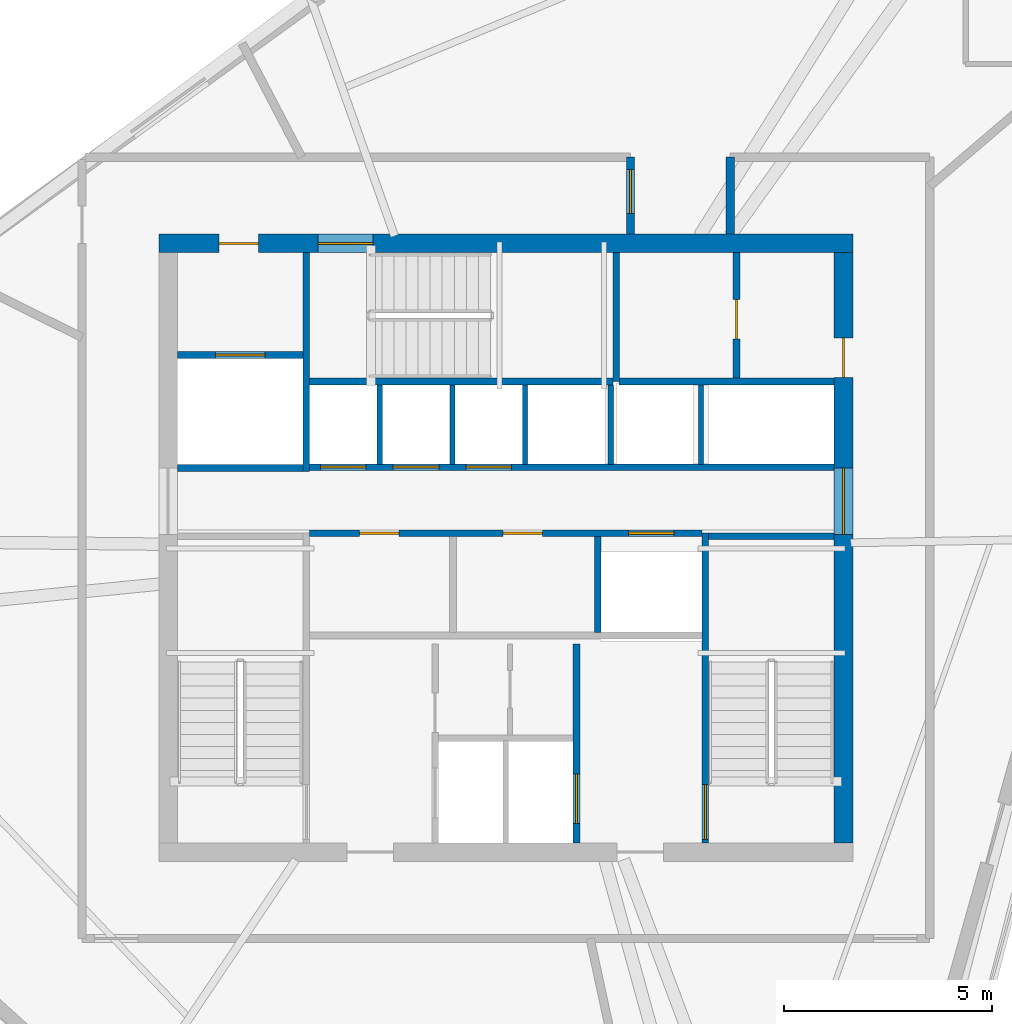
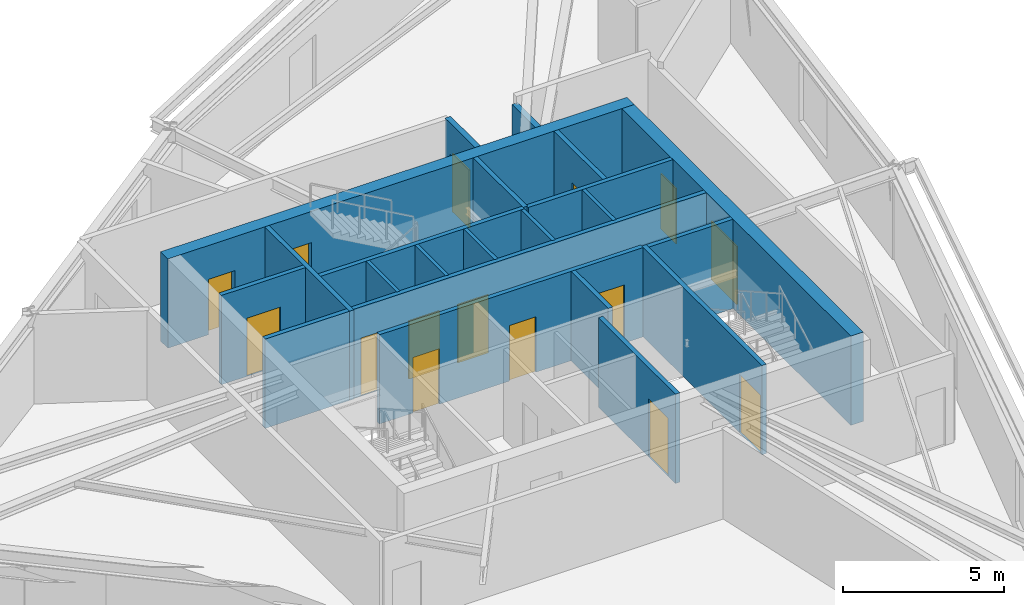
# One storey, part 10 of 14: 22 walls, 15 doors, 15 openings.
"""IFC4 building model written with IfcOpenShell, lengths in metres."""

from ifc_helpers import new_model, si_unit, direction, frame, frame_2d, origin, place, context, subcontext, project, spatial, rectangle, extrude, source, transform, mapped, material, layer, layer_set, type_object, type_shapes, element, fill, save


model = new_model("IFC4")

# Units and contexts
model_context = context("Model", 3, precision=1e-05, world=origin(), true_north=direction((0.0, 1.0)))
body_context = subcontext(model_context, "Body", "Model", "MODEL_VIEW")
ifc_project = project(units=[si_unit("LENGTHUNIT", "METRE"), si_unit("AREAUNIT", "SQUARE_METRE"), si_unit("VOLUMEUNIT", "CUBIC_METRE"), si_unit("PLANEANGLEUNIT", "RADIAN"), si_unit("MASSUNIT", "GRAM", prefix="KILO")], contexts=[model_context])

# Site, building, storey
site_placement = place(None, origin())
site = spatial("IfcSite", under=ifc_project, at=site_placement, CompositionType="ELEMENT")
building_placement = place(site_placement, origin())
building = spatial("IfcBuilding", under=site, at=building_placement, Name="Olszyna Solenne Hotel", CompositionType="ELEMENT")
storey_placement = place(building_placement, frame((0.0, 0.0, 259.699951171875)))
storey = spatial("IfcBuildingStorey", under=building, at=storey_placement, Name="L69", CompositionType="ELEMENT", Elevation=259.699951171875)

# Wall, openings, doors
ifc_material_1 = material(Name="Concrete C50/60", Category="concrete")
ifc_layer_1 = layer(ifc_material_1, 0.449951171875, Name="Concrete C50/60")
ifc_layer_set_1 = layer_set([ifc_layer_1], Name="Concrete C50/60")
wall_type_1 = type_object("IfcWallType", Name="WL-CR450", PredefinedType="SHEAR", material=ifc_layer_set_1)
wall_1_placement = place(storey_placement, frame((29.64990234375, 33.925048828125, 0.0), z_axis=(0.0, 0.0, 1.0), x_axis=(1.0, 0.0, 0.0)))
wall_1 = element("IfcWall", 1, at=wall_1_placement, inside=storey, type_object=wall_type_1, Name="Core shear wall WL-CR450 CRW-L69-N", PredefinedType="SHEAR", context=body_context, shape_type="SweptSolid", body=[
    extrude(rectangle(XDim=16.7001953125, YDim=0.449951171875, at=frame_2d((8.35009765625, 0.0))), origin(), (0.0, 0.0, 1.0), 3.380126953125),
])
opening_1_placement = place(wall_1_placement, frame((1.449951171875, 0.0, 0.0)))
opening_1 = element("IfcOpeningElement", 2, at=opening_1_placement, cuts=wall_1, Name="Opening SVD-L69-01", PredefinedType="OPENING", context=body_context, shape_type="SweptSolid", body=[
    extrude(rectangle(XDim=0.949951171875, YDim=2.10009765625, at=frame_2d((0.47509765625, 1.050048828125))), frame((0.0, 0.23486328125, 0.0), z_axis=(0.0, -1.0, 0.0), x_axis=(1.0, 0.0, 0.0)), (0.0, 0.0, 1.0), 0.469970703125),
])
opening_2_placement = place(wall_1_placement, frame((3.830078125, 0.0, 0.0)))
opening_2 = element("IfcOpeningElement", 3, at=opening_2_placement, cuts=wall_1, Name="Opening STD-L69-03", PredefinedType="OPENING", context=body_context, shape_type="SweptSolid", body=[
    extrude(rectangle(XDim=1.320068359375, YDim=2.199951171875, at=frame_2d((0.66015625, 1.10009765625))), frame((0.0, 0.23486328125, 0.0), z_axis=(0.0, -1.0, 0.0), x_axis=(1.0, 0.0, 0.0)), (0.0, 0.0, 1.0), 0.469970703125),
])
ifc_material_2 = material(Name="Steel S355J2", Category="steel")
door_type_1 = type_object("IfcDoorType", Name="DR-ST1", OperationType="NOTDEFINED", PredefinedType="DOOR", material=ifc_material_2)
shared_shape_1 = source(origin(), body_context, "Body", "SweptSolid", [
    extrude(rectangle(XDim=1.320068359375, YDim=2.199951171875, at=frame_2d((0.66015625, 1.10009765625))), frame((0.0, 0.02490234375, 0.0), z_axis=(0.0, -1.0, 0.0), x_axis=(1.0, 0.0, 0.0)), (0.0, 0.0, 1.0), 0.050048828125),
])
type_shapes(door_type_1, [shared_shape_1])
door_1_placement = place(opening_2_placement, origin())
door_1 = element("IfcDoor", 4, at=door_1_placement, inside=storey, type_object=door_type_1, Name="Pressurised exit stair ST3 fire door STD-L69-03", OperationType="SINGLE_SWING_RIGHT", OverallHeight=2.199951171875, OverallWidth=1.320068359375, PredefinedType="DOOR", context=body_context, shape_type="MappedRepresentation", body=[
    mapped(shared_shape_1, transform((0.0, 0.0, 0.0), x_axis=(1.0, 0.0, 0.0), y_axis=(0.0, 1.0, 0.0), z_axis=(0.0, 0.0, 1.0), scale=1.0)),
])
fill(opening_2, door_1)
door_type_2 = type_object("IfcDoorType", Name="DR-SV1", OperationType="NOTDEFINED", PredefinedType="DOOR", material=ifc_material_2)
shared_shape_2 = source(origin(), body_context, "Body", "SweptSolid", [
    extrude(rectangle(XDim=0.949951171875, YDim=2.10009765625, at=frame_2d((0.47509765625, 1.050048828125))), frame((0.0, 0.02490234375, 0.0), z_axis=(0.0, -1.0, 0.0), x_axis=(1.0, 0.0, 0.0)), (0.0, 0.0, 1.0), 0.050048828125),
])
type_shapes(door_type_2, [shared_shape_2])
door_2_placement = place(opening_1_placement, origin())
door_2 = element("IfcDoor", 5, at=door_2_placement, inside=storey, type_object=door_type_2, Name="Service lift lobby fire door SVD-L69-01", OperationType="SINGLE_SWING_LEFT", OverallHeight=2.10009765625, OverallWidth=0.949951171875, PredefinedType="DOOR", context=body_context, shape_type="MappedRepresentation", body=[
    mapped(shared_shape_2, transform((0.0, 0.0, 0.0), x_axis=(1.0, 0.0, 0.0), y_axis=(0.0, 1.0, 0.0), z_axis=(0.0, 0.0, 1.0), scale=1.0)),
])
fill(opening_1, door_2)

wall_2_placement = place(storey_placement, frame((46.125, 33.699951171875, 0.0), z_axis=(0.0, 0.0, 1.0), x_axis=(0.0, -1.0, 0.0)))
wall_2 = element("IfcWall", 6, at=wall_2_placement, inside=storey, type_object=wall_type_1, Name="Core shear wall WL-CR450 CRW-L69-E", PredefinedType="SHEAR", context=body_context, shape_type="SweptSolid", body=[
    extrude(rectangle(XDim=14.199951171875, YDim=0.449951171875, at=frame_2d((7.10009765625, 0.0))), origin(), (0.0, 0.0, 1.0), 3.380126953125),
])
opening_3_placement = place(wall_2_placement, frame((5.179931640625, 0.0, 0.0)))
opening_3 = element("IfcOpeningElement", 7, at=opening_3_placement, cuts=wall_2, Name="Opening LHD-L69-E", PredefinedType="OPENING", context=body_context, shape_type="SweptSolid", body=[
    extrude(rectangle(XDim=1.60009765625, YDim=2.199951171875, at=frame_2d((0.800048828125, 1.10009765625))), frame((0.0, 0.23486328125, 0.0), z_axis=(0.0, -1.0, 0.0), x_axis=(1.0, 0.0, 0.0)), (0.0, 0.0, 1.0), 0.469970703125),
])
opening_4_placement = place(wall_2_placement, frame((2.050048828125, 0.0, 0.0)))
opening_4 = element("IfcOpeningElement", 8, at=opening_4_placement, cuts=wall_2, Name="Opening SVD-L69-BE", PredefinedType="OPENING", context=body_context, shape_type="SweptSolid", body=[
    extrude(rectangle(XDim=0.949951171875, YDim=2.10009765625, at=frame_2d((0.47509765625, 1.050048828125))), frame((0.0, 0.23486328125, 0.0), z_axis=(0.0, -1.0, 0.0), x_axis=(1.0, 0.0, 0.0)), (0.0, 0.0, 1.0), 0.469970703125),
])
door_3_placement = place(opening_4_placement, origin())
door_3 = element("IfcDoor", 9, at=door_3_placement, inside=storey, type_object=door_type_2, Name="Housekeeping core fire door SVD-L69-BE", OperationType="SINGLE_SWING_RIGHT", OverallHeight=2.10009765625, OverallWidth=0.949951171875, PredefinedType="DOOR", context=body_context, shape_type="MappedRepresentation", body=[
    mapped(shared_shape_2, transform((0.0, 0.0, 0.0), x_axis=(1.0, 0.0, 0.0), y_axis=(0.0, 1.0, 0.0), z_axis=(0.0, 0.0, 1.0), scale=1.0)),
])
fill(opening_4, door_3)
ifc_material_3 = material(Name="Timber hardwood", Category="wood")
door_type_3 = type_object("IfcDoorType", Name="DR-CR1", OperationType="DOUBLE_DOOR_SINGLE_SWING", PredefinedType="DOOR", material=ifc_material_3)
shared_shape_3 = source(origin(), body_context, "Body", "SweptSolid", [
    extrude(rectangle(XDim=1.60009765625, YDim=2.199951171875, at=frame_2d((0.800048828125, 1.10009765625))), frame((0.0, 0.02490234375, 0.0), z_axis=(0.0, -1.0, 0.0), x_axis=(1.0, 0.0, 0.0)), (0.0, 0.0, 1.0), 0.050048828125),
])
type_shapes(door_type_3, [shared_shape_3])
door_4_placement = place(opening_3_placement, origin())
door_4 = element("IfcDoor", 10, at=door_4_placement, inside=storey, type_object=door_type_3, Name="Passenger lift lobby East fire door LHD-L69-E", OperationType="DOUBLE_DOOR_SINGLE_SWING", OverallHeight=2.199951171875, OverallWidth=1.60009765625, PredefinedType="DOOR", context=body_context, shape_type="MappedRepresentation", body=[
    mapped(shared_shape_3, transform((0.0, 0.0, 0.0), x_axis=(1.0, 0.0, 0.0), y_axis=(0.0, 1.0, 0.0), z_axis=(0.0, 0.0, 1.0), scale=1.0)),
])
fill(opening_3, door_4)

# Walls
ifc_material_4 = material(Name="Acoustic gypsum partition", Category="gypsum")
ifc_layer_2 = layer(ifc_material_4, 0.125, Name="Acoustic gypsum partition")
ifc_layer_set_2 = layer_set([ifc_layer_2], Name="Acoustic gypsum partition")
wall_type_2 = type_object("IfcWallType", Name="WL-PT125", PredefinedType="PARTITIONING", material=ifc_layer_set_2)
for number, where, z_axis, x_axis, name in (
    (11, (34.965087890625, 28.60009765625, 0.0), (0.0, 0.0, 1.0), (0.0, 1.0, 0.0), "Core shaft compartment wall CW-L69-DIVN349"),
    (12, (36.715087890625, 28.60009765625, 0.0), (0.0, 0.0, 1.0), (0.0, 1.0, 0.0), "Core shaft compartment wall CW-L69-DIVN367"),
    (13, (38.465087890625, 28.60009765625, 0.0), (0.0, 0.0, 1.0), (0.0, 1.0, 0.0), "Core shaft compartment wall CW-L69-DIVN384"),
    (14, (40.52490234375, 28.60009765625, 0.0), (0.0, 0.0, 1.0), (0.0, 1.0, 0.0), "Core shaft compartment wall CW-L69-DIVEX405"),
    (15, (42.699951171875, 28.60009765625, 0.0), (0.0, 0.0, 1.0), (0.0, 1.0, 0.0), "Core shaft compartment wall CW-L69-DIVEX427"),
):
    element("IfcWall", number, at=place(storey_placement, frame(where, z_axis=z_axis, x_axis=x_axis)), inside=storey, type_object=wall_type_2, Name=name, PredefinedType="PARTITIONING", context=body_context, shape_type="SweptSolid", body=[
        extrude(rectangle(XDim=1.919921875, YDim=0.125, at=frame_2d((0.9599609375, 0.0))), origin(), (0.0, 0.0, 1.0), 3.380126953125),
    ])

# Wall, opening, door
ifc_layer_3 = layer(ifc_material_4, 0.159912109375, Name="Acoustic gypsum partition")
ifc_layer_set_3 = layer_set([ifc_layer_3], Name="Acoustic gypsum partition")
wall_type_3 = type_object("IfcWallType", Name="WL-PT160", PredefinedType="PARTITIONING", material=ifc_layer_set_3)
wall_3_placement = place(storey_placement, frame((42.800048828125, 26.9599609375, 0.0), z_axis=(0.0, 0.0, 1.0), x_axis=(0.0, -1.0, 0.0)))
wall_3 = element("IfcWall", 16, at=wall_3_placement, inside=storey, type_object=wall_type_3, Name="Core shaft compartment wall CW-L69-ST2W", PredefinedType="PARTITIONING", context=body_context, shape_type="SweptSolid", body=[
    extrude(rectangle(XDim=7.4599609375, YDim=0.159912109375, at=frame_2d((3.72998046875, 0.0))), origin(), (0.0, 0.0, 1.0), 3.380126953125),
])
opening_5_placement = place(wall_3_placement, frame((6.06005859375, 0.0, 0.0)))
opening_5 = element("IfcOpeningElement", 17, at=opening_5_placement, cuts=wall_3, Name="Opening STD-L69-02", PredefinedType="OPENING", context=body_context, shape_type="SweptSolid", body=[
    extrude(rectangle(XDim=1.320068359375, YDim=2.199951171875, at=frame_2d((0.66015625, 1.10009765625))), frame((0.0, 0.08984375, 0.0), z_axis=(0.0, -1.0, 0.0), x_axis=(1.0, 0.0, 0.0)), (0.0, 0.0, 1.0), 0.179931640625),
])
door_5_placement = place(opening_5_placement, origin())
door_5 = element("IfcDoor", 18, at=door_5_placement, inside=storey, type_object=door_type_1, Name="Pressurised exit stair ST2 fire door STD-L69-02", OperationType="SINGLE_SWING_RIGHT", OverallHeight=2.199951171875, OverallWidth=1.320068359375, PredefinedType="DOOR", context=body_context, shape_type="MappedRepresentation", body=[
    mapped(shared_shape_1, transform((0.0, 0.0, 0.0), x_axis=(1.0, 0.0, 0.0), y_axis=(0.0, 1.0, 0.0), z_axis=(0.0, 0.0, 1.0), scale=1.0)),
])
fill(opening_5, door_5)

# Walls
wall_4_placement = place(storey_placement, frame((42.8798828125, 26.8798828125, 0.0), z_axis=(0.0, 0.0, 1.0), x_axis=(1.0, 0.0, 0.0)))
element("IfcWall", 19, at=wall_4_placement, inside=storey, type_object=wall_type_3, Name="Core shaft compartment wall CW-L69-ST2N", PredefinedType="PARTITIONING", context=body_context, shape_type="SweptSolid", body=[
    extrude(rectangle(XDim=3.02001953125, YDim=0.159912109375, at=frame_2d((1.510009765625, 0.0))), origin(), (0.0, 0.0, 1.0), 3.380126953125),
])
wall_5_placement = place(storey_placement, frame((33.280029296875, 30.60009765625, 0.0), z_axis=(0.0, 0.0, 1.0), x_axis=(1.0, 0.0, 0.0)))
element("IfcWall", 20, at=wall_5_placement, inside=storey, type_object=wall_type_3, Name="Core shaft compartment wall CW-L69-ST3S", PredefinedType="PARTITIONING", context=body_context, shape_type="SweptSolid", body=[
    extrude(rectangle(XDim=7.300048828125, YDim=0.159912109375, at=frame_2d((3.64990234375, 0.0))), origin(), (0.0, 0.0, 1.0), 3.380126953125),
])
wall_6_placement = place(storey_placement, frame((40.659912109375, 30.60009765625, 0.0), z_axis=(0.0, 0.0, 1.0), x_axis=(0.0, 1.0, 0.0)))
element("IfcWall", 21, at=wall_6_placement, inside=storey, type_object=wall_type_3, Name="Core shaft compartment wall CW-L69-ST3E", PredefinedType="PARTITIONING", context=body_context, shape_type="SweptSolid", body=[
    extrude(rectangle(XDim=3.099853515625, YDim=0.159912109375, at=frame_2d((1.5498046875, 0.0))), origin(), (0.0, 0.0, 1.0), 3.380126953125),
])

# Wall, opening, door
wall_7_placement = place(storey_placement, frame((39.699951171875, 24.280029296875, 0.0), z_axis=(0.0, 0.0, 1.0), x_axis=(0.0, -1.0, 0.0)))
wall_7 = element("IfcWall", 22, at=wall_7_placement, inside=storey, type_object=wall_type_3, Name="Core shaft compartment wall CW-L69-FF2E", PredefinedType="PARTITIONING", context=body_context, shape_type="SweptSolid", body=[
    extrude(rectangle(XDim=4.780029296875, YDim=0.159912109375, at=frame_2d((2.39013671875, 0.0))), origin(), (0.0, 0.0, 1.0), 3.380126953125),
])
opening_6_placement = place(wall_7_placement, frame((3.1201171875, 0.0, 0.0)))
opening_6 = element("IfcOpeningElement", 23, at=opening_6_placement, cuts=wall_7, Name="Opening LD-L69-FF2", PredefinedType="OPENING", context=body_context, shape_type="SweptSolid", body=[
    extrude(rectangle(XDim=1.199951171875, YDim=2.199951171875, at=frame_2d((0.60009765625, 1.10009765625))), frame((0.0, 0.08984375, 0.0), z_axis=(0.0, -1.0, 0.0), x_axis=(1.0, 0.0, 0.0)), (0.0, 0.0, 1.0), 0.179931640625),
])
door_type_4 = type_object("IfcDoorType", Name="LD-FF1", OperationType="DOUBLE_DOOR_SLIDING", PredefinedType="DOOR", material=ifc_material_2)
shared_shape_4 = source(origin(), body_context, "Body", "SweptSolid", [
    extrude(rectangle(XDim=1.199951171875, YDim=2.199951171875, at=frame_2d((0.60009765625, 1.10009765625))), frame((0.0, 0.02490234375, 0.0), z_axis=(0.0, -1.0, 0.0), x_axis=(1.0, 0.0, 0.0)), (0.0, 0.0, 1.0), 0.050048828125),
])
type_shapes(door_type_4, [shared_shape_4])
door_6_placement = place(opening_6_placement, origin())
door_6 = element("IfcDoor", 24, at=door_6_placement, inside=storey, type_object=door_type_4, Name="Firefighters lift FF2 sliding landing door LD-L69-FF2", OperationType="DOUBLE_DOOR_SLIDING", OverallHeight=2.199951171875, OverallWidth=1.199951171875, PredefinedType="DOOR", context=body_context, shape_type="MappedRepresentation", body=[
    mapped(shared_shape_4, transform((0.0, 0.0, 0.0), x_axis=(1.0, 0.0, 0.0), y_axis=(0.0, 1.0, 0.0), z_axis=(0.0, 0.0, 1.0), scale=1.0)),
])
fill(opening_6, door_6)

# Walls
wall_8_placement = place(storey_placement, frame((30.10009765625, 28.52001953125, 0.0), z_axis=(0.0, 0.0, 1.0), x_axis=(1.0, 0.0, 0.0)))
element("IfcWall", 25, at=wall_8_placement, inside=storey, type_object=wall_type_3, Name="Core shaft compartment wall CW-L69-SV1S", PredefinedType="PARTITIONING", context=body_context, shape_type="SweptSolid", body=[
    extrude(rectangle(XDim=3.02001953125, YDim=0.159912109375, at=frame_2d((1.510009765625, 0.0))), origin(), (0.0, 0.0, 1.0), 3.380126953125),
])
wall_9_placement = place(storey_placement, frame((33.199951171875, 28.43994140625, 0.0), z_axis=(0.0, 0.0, 1.0), x_axis=(0.0, 1.0, 0.0)))
element("IfcWall", 26, at=wall_9_placement, inside=storey, type_object=wall_type_3, Name="Core shaft compartment wall CW-L69-SV1E", PredefinedType="PARTITIONING", context=body_context, shape_type="SweptSolid", body=[
    extrude(rectangle(XDim=5.260009765625, YDim=0.159912109375, at=frame_2d((2.6298828125, 0.0))), origin(), (0.0, 0.0, 1.0), 3.380126953125),
])

# Wall, opening, door
wall_10_placement = place(storey_placement, frame((30.10009765625, 31.239990234375, 0.0), z_axis=(0.0, 0.0, 1.0), x_axis=(1.0, 0.0, 0.0)))
wall_10 = element("IfcWall", 27, at=wall_10_placement, inside=storey, type_object=wall_type_3, Name="Core shaft compartment wall CW-L69-SV1N", PredefinedType="PARTITIONING", context=body_context, shape_type="SweptSolid", body=[
    extrude(rectangle(XDim=3.02001953125, YDim=0.159912109375, at=frame_2d((1.510009765625, 0.0))), origin(), (0.0, 0.0, 1.0), 3.380126953125),
])
opening_7_placement = place(wall_10_placement, frame((0.909912109375, 0.0, 0.0)))
opening_7 = element("IfcOpeningElement", 28, at=opening_7_placement, cuts=wall_10, Name="Opening LD-L69-SV1", PredefinedType="OPENING", context=body_context, shape_type="SweptSolid", body=[
    extrude(rectangle(XDim=1.199951171875, YDim=2.199951171875, at=frame_2d((0.60009765625, 1.10009765625))), frame((0.0, 0.08984375, 0.0), z_axis=(0.0, -1.0, 0.0), x_axis=(1.0, 0.0, 0.0)), (0.0, 0.0, 1.0), 0.179931640625),
])
door_7_placement = place(opening_7_placement, origin())
door_7 = element("IfcDoor", 29, at=door_7_placement, inside=storey, type_object=door_type_4, Name="Service lift SV1 sliding landing door LD-L69-SV1", OperationType="DOUBLE_DOOR_SLIDING", OverallHeight=2.199951171875, OverallWidth=1.199951171875, PredefinedType="DOOR", context=body_context, shape_type="MappedRepresentation", body=[
    mapped(shared_shape_4, transform((0.0, 0.0, 0.0), x_axis=(1.0, 0.0, 0.0), y_axis=(0.0, 1.0, 0.0), z_axis=(0.0, 0.0, 1.0), scale=1.0)),
])
fill(opening_7, door_7)

# Wall, openings, doors
wall_11_placement = place(storey_placement, frame((33.280029296875, 26.949951171875, 0.0), z_axis=(0.0, 0.0, 1.0), x_axis=(1.0, 0.0, 0.0)))
wall_11 = element("IfcWall", 30, at=wall_11_placement, inside=storey, type_object=wall_type_3, Name="Core shaft compartment wall CW-L69-LRS", PredefinedType="PARTITIONING", context=body_context, shape_type="SweptSolid", body=[
    extrude(rectangle(XDim=9.43994140625, YDim=0.159912109375, at=frame_2d((4.719970703125, 0.0))), origin(), (0.0, 0.0, 1.0), 3.380126953125),
])
opening_8_placement = place(wall_11_placement, frame((1.199951171875, 0.0, 0.0)))
opening_8 = element("IfcOpeningElement", 31, at=opening_8_placement, cuts=wall_11, Name="Opening SVD-L69-L71", PredefinedType="OPENING", context=body_context, shape_type="SweptSolid", body=[
    extrude(rectangle(XDim=0.949951171875, YDim=2.10009765625, at=frame_2d((0.47509765625, 1.050048828125))), frame((0.0, 0.08984375, 0.0), z_axis=(0.0, -1.0, 0.0), x_axis=(1.0, 0.0, 0.0)), (0.0, 0.0, 1.0), 0.179931640625),
])
opening_9_placement = place(wall_11_placement, frame((4.64990234375, 0.0, 0.0)))
opening_9 = element("IfcOpeningElement", 32, at=opening_9_placement, cuts=wall_11, Name="Opening SVD-L69-L72", PredefinedType="OPENING", context=body_context, shape_type="SweptSolid", body=[
    extrude(rectangle(XDim=0.949951171875, YDim=2.10009765625, at=frame_2d((0.47509765625, 1.050048828125))), frame((0.0, 0.08984375, 0.0), z_axis=(0.0, -1.0, 0.0), x_axis=(1.0, 0.0, 0.0)), (0.0, 0.0, 1.0), 0.179931640625),
])
opening_10_placement = place(wall_11_placement, frame((7.669921875, 0.0, 0.0)))
opening_10 = element("IfcOpeningElement", 33, at=opening_10_placement, cuts=wall_11, Name="Opening LD-L69-PL5", PredefinedType="OPENING", context=body_context, shape_type="SweptSolid", body=[
    extrude(rectangle(XDim=1.10009765625, YDim=2.199951171875, at=frame_2d((0.550048828125, 1.10009765625))), frame((0.0, 0.08984375, 0.0), z_axis=(0.0, -1.0, 0.0), x_axis=(1.0, 0.0, 0.0)), (0.0, 0.0, 1.0), 0.179931640625),
])
door_8_placement = place(opening_8_placement, origin())
door_8 = element("IfcDoor", 34, at=door_8_placement, inside=storey, type_object=door_type_2, Name="Recaptured core room fire door SVD-L69-L71", OperationType="SINGLE_SWING_LEFT", OverallHeight=2.10009765625, OverallWidth=0.949951171875, PredefinedType="DOOR", context=body_context, shape_type="MappedRepresentation", body=[
    mapped(shared_shape_2, transform((0.0, 0.0, 0.0), x_axis=(1.0, 0.0, 0.0), y_axis=(0.0, 1.0, 0.0), z_axis=(0.0, 0.0, 1.0), scale=1.0)),
])
fill(opening_8, door_8)
door_9_placement = place(opening_9_placement, origin())
door_9 = element("IfcDoor", 35, at=door_9_placement, inside=storey, type_object=door_type_2, Name="Recaptured core room fire door SVD-L69-L72", OperationType="SINGLE_SWING_RIGHT", OverallHeight=2.10009765625, OverallWidth=0.949951171875, PredefinedType="DOOR", context=body_context, shape_type="MappedRepresentation", body=[
    mapped(shared_shape_2, transform((0.0, 0.0, 0.0), x_axis=(1.0, 0.0, 0.0), y_axis=(0.0, 1.0, 0.0), z_axis=(0.0, 0.0, 1.0), scale=1.0)),
])
fill(opening_9, door_9)
door_type_5 = type_object("IfcDoorType", Name="LD-P1", OperationType="DOUBLE_DOOR_SLIDING", PredefinedType="DOOR", material=ifc_material_2)
shared_shape_5 = source(origin(), body_context, "Body", "SweptSolid", [
    extrude(rectangle(XDim=1.10009765625, YDim=2.199951171875, at=frame_2d((0.550048828125, 1.10009765625))), frame((0.0, 0.02490234375, 0.0), z_axis=(0.0, -1.0, 0.0), x_axis=(1.0, 0.0, 0.0)), (0.0, 0.0, 1.0), 0.050048828125),
])
type_shapes(door_type_5, [shared_shape_5])
door_10_placement = place(opening_10_placement, origin())
door_10 = element("IfcDoor", 36, at=door_10_placement, inside=storey, type_object=door_type_5, Name="Passenger lift PL5 sliding landing door LD-L69-PL5", OperationType="DOUBLE_DOOR_SLIDING", OverallHeight=2.199951171875, OverallWidth=1.10009765625, PredefinedType="DOOR", context=body_context, shape_type="MappedRepresentation", body=[
    mapped(shared_shape_5, transform((0.0, 0.0, 0.0), x_axis=(1.0, 0.0, 0.0), y_axis=(0.0, 1.0, 0.0), z_axis=(0.0, 0.0, 1.0), scale=1.0)),
])
fill(opening_10, door_10)

# Wall
wall_12_placement = place(storey_placement, frame((40.215087890625, 24.56005859375, 0.0), z_axis=(0.0, 0.0, 1.0), x_axis=(0.0, 1.0, 0.0)))
element("IfcWall", 37, at=wall_12_placement, inside=storey, type_object=wall_type_3, Name="Core shaft compartment wall CW-L69-LV7DIV2", PredefinedType="PARTITIONING", context=body_context, shape_type="SweptSolid", body=[
    extrude(rectangle(XDim=2.31005859375, YDim=0.159912109375, at=frame_2d((1.155029296875, 0.0))), origin(), (0.0, 0.0, 1.0), 3.380126953125),
])

# Wall, openings, doors
wall_13_placement = place(storey_placement, frame((33.280029296875, 28.5400390625, 0.0), z_axis=(0.0, 0.0, 1.0), x_axis=(1.0, 0.0, 0.0)))
wall_13 = element("IfcWall", 38, at=wall_13_placement, inside=storey, type_object=wall_type_3, Name="Core shaft compartment wall CW-L69-LRN", PredefinedType="PARTITIONING", context=body_context, shape_type="SweptSolid", body=[
    extrude(rectangle(XDim=12.619873046875, YDim=0.159912109375, at=frame_2d((6.31005859375, 0.0))), origin(), (0.0, 0.0, 1.0), 3.380126953125),
])
opening_11_placement = place(wall_13_placement, frame((0.260009765625, 0.0, 0.0)))
opening_11 = element("IfcOpeningElement", 39, at=opening_11_placement, cuts=wall_13, Name="Opening LD-L69-PL6", PredefinedType="OPENING", context=body_context, shape_type="SweptSolid", body=[
    extrude(rectangle(XDim=1.10009765625, YDim=2.199951171875, at=frame_2d((0.550048828125, 1.10009765625))), frame((0.0, 0.08984375, 0.0), z_axis=(0.0, -1.0, 0.0), x_axis=(1.0, 0.0, 0.0)), (0.0, 0.0, 1.0), 0.179931640625),
])
opening_12_placement = place(wall_13_placement, frame((2.010009765625, 0.0, 0.0)))
opening_12 = element("IfcOpeningElement", 40, at=opening_12_placement, cuts=wall_13, Name="Opening LD-L69-PL7", PredefinedType="OPENING", context=body_context, shape_type="SweptSolid", body=[
    extrude(rectangle(XDim=1.10009765625, YDim=2.199951171875, at=frame_2d((0.550048828125, 1.10009765625))), frame((0.0, 0.08984375, 0.0), z_axis=(0.0, -1.0, 0.0), x_axis=(1.0, 0.0, 0.0)), (0.0, 0.0, 1.0), 0.179931640625),
])
opening_13_placement = place(wall_13_placement, frame((3.760009765625, 0.0, 0.0)))
opening_13 = element("IfcOpeningElement", 41, at=opening_13_placement, cuts=wall_13, Name="Opening LD-L69-PL8", PredefinedType="OPENING", context=body_context, shape_type="SweptSolid", body=[
    extrude(rectangle(XDim=1.10009765625, YDim=2.199951171875, at=frame_2d((0.550048828125, 1.10009765625))), frame((0.0, 0.08984375, 0.0), z_axis=(0.0, -1.0, 0.0), x_axis=(1.0, 0.0, 0.0)), (0.0, 0.0, 1.0), 0.179931640625),
])
door_11_placement = place(opening_11_placement, origin())
door_11 = element("IfcDoor", 42, at=door_11_placement, inside=storey, type_object=door_type_5, Name="Passenger lift PL6 sliding landing door LD-L69-PL6", OperationType="DOUBLE_DOOR_SLIDING", OverallHeight=2.199951171875, OverallWidth=1.10009765625, PredefinedType="DOOR", context=body_context, shape_type="MappedRepresentation", body=[
    mapped(shared_shape_5, transform((0.0, 0.0, 0.0), x_axis=(1.0, 0.0, 0.0), y_axis=(0.0, 1.0, 0.0), z_axis=(0.0, 0.0, 1.0), scale=1.0)),
])
fill(opening_11, door_11)
door_12_placement = place(opening_12_placement, origin())
door_12 = element("IfcDoor", 43, at=door_12_placement, inside=storey, type_object=door_type_5, Name="Passenger lift PL7 sliding landing door LD-L69-PL7", OperationType="DOUBLE_DOOR_SLIDING", OverallHeight=2.199951171875, OverallWidth=1.10009765625, PredefinedType="DOOR", context=body_context, shape_type="MappedRepresentation", body=[
    mapped(shared_shape_5, transform((0.0, 0.0, 0.0), x_axis=(1.0, 0.0, 0.0), y_axis=(0.0, 1.0, 0.0), z_axis=(0.0, 0.0, 1.0), scale=1.0)),
])
fill(opening_12, door_12)
door_13_placement = place(opening_13_placement, origin())
door_13 = element("IfcDoor", 44, at=door_13_placement, inside=storey, type_object=door_type_5, Name="Passenger lift PL8 sliding landing door LD-L69-PL8", OperationType="DOUBLE_DOOR_SLIDING", OverallHeight=2.199951171875, OverallWidth=1.10009765625, PredefinedType="DOOR", context=body_context, shape_type="MappedRepresentation", body=[
    mapped(shared_shape_5, transform((0.0, 0.0, 0.0), x_axis=(1.0, 0.0, 0.0), y_axis=(0.0, 1.0, 0.0), z_axis=(0.0, 0.0, 1.0), scale=1.0)),
])
fill(opening_13, door_13)

# Wall
wall_14_placement = place(storey_placement, frame((40.719970703125, 30.60009765625, 0.0), z_axis=(0.0, 0.0, 1.0), x_axis=(1.0, 0.0, 0.0)))
element("IfcWall", 45, at=wall_14_placement, inside=storey, type_object=wall_type_3, Name="Core shaft compartment wall CW-L69-LRNTOP", PredefinedType="PARTITIONING", context=body_context, shape_type="SweptSolid", body=[
    extrude(rectangle(XDim=5.179931640625, YDim=0.159912109375, at=frame_2d((2.58984375, 0.0))), origin(), (0.0, 0.0, 1.0), 3.380126953125),
])

# Wall, opening, door
wall_15_placement = place(storey_placement, frame((43.550048828125, 30.679931640625, 0.0), z_axis=(0.0, 0.0, 1.0), x_axis=(0.0, 1.0, 0.0)))
wall_15 = element("IfcWall", 46, at=wall_15_placement, inside=storey, type_object=wall_type_3, Name="Core shaft compartment wall CW-L69-BOH1", PredefinedType="PARTITIONING", context=body_context, shape_type="SweptSolid", body=[
    extrude(rectangle(XDim=3.02001953125, YDim=0.159912109375, at=frame_2d((1.510009765625, 0.0))), origin(), (0.0, 0.0, 1.0), 3.380126953125),
])
opening_14_placement = place(wall_15_placement, frame((0.949951171875, 0.0, 0.0)))
opening_14 = element("IfcOpeningElement", 47, at=opening_14_placement, cuts=wall_15, Name="Opening SVD-L69-BI1", PredefinedType="OPENING", context=body_context, shape_type="SweptSolid", body=[
    extrude(rectangle(XDim=0.949951171875, YDim=2.10009765625, at=frame_2d((0.47509765625, 1.050048828125))), frame((0.0, 0.08984375, 0.0), z_axis=(0.0, -1.0, 0.0), x_axis=(1.0, 0.0, 0.0)), (0.0, 0.0, 1.0), 0.179931640625),
])
door_14_placement = place(opening_14_placement, origin())
door_14 = element("IfcDoor", 48, at=door_14_placement, inside=storey, type_object=door_type_2, Name="BOH inter-room fire door SVD-L69-BI1", OperationType="SINGLE_SWING_LEFT", OverallHeight=2.10009765625, OverallWidth=0.949951171875, PredefinedType="DOOR", context=body_context, shape_type="MappedRepresentation", body=[
    mapped(shared_shape_2, transform((0.0, 0.0, 0.0), x_axis=(1.0, 0.0, 0.0), y_axis=(0.0, 1.0, 0.0), z_axis=(0.0, 0.0, 1.0), scale=1.0)),
])
fill(opening_14, door_14)

ifc_layer_4 = layer(ifc_material_4, 0.199951171875, Name="Acoustic gypsum partition")
ifc_layer_set_4 = layer_set([ifc_layer_4], Name="Acoustic gypsum partition")
wall_type_4 = type_object("IfcWallType", Name="WL-PT200", PredefinedType="PARTITIONING", material=ifc_layer_set_4)
wall_16_placement = place(storey_placement, frame((41.0, 34.14990234375, 0.0), z_axis=(0.0, 0.0, 1.0), x_axis=(0.0, 1.0, 0.0)))
wall_16 = element("IfcWall", 49, at=wall_16_placement, inside=storey, type_object=wall_type_4, Name="Interior acoustic partition WL-PT200 PW-L69-3841", PredefinedType="PARTITIONING", context=body_context, shape_type="SweptSolid", body=[
    extrude(rectangle(XDim=1.85009765625, YDim=0.199951171875, at=frame_2d((0.925048828125, 0.0))), origin(), (0.0, 0.0, 1.0), 3.380126953125),
])
opening_15_placement = place(wall_16_placement, frame((0.5, 0.0, 0.0)))
opening_15 = element("IfcOpeningElement", 50, at=opening_15_placement, cuts=wall_16, Name="Opening DR-L69-0937", PredefinedType="OPENING", context=body_context, shape_type="SweptSolid", body=[
    extrude(rectangle(XDim=1.050048828125, YDim=2.199951171875, at=frame_2d((0.52490234375, 1.10009765625))), frame((0.0, 0.10986328125, 0.0), z_axis=(0.0, -1.0, 0.0), x_axis=(1.0, 0.0, 0.0)), (0.0, 0.0, 1.0), 0.219970703125),
])
door_type_6 = type_object("IfcDoorType", Name="DR-RM2", OperationType="NOTDEFINED", PredefinedType="DOOR", material=ifc_material_3)
shared_shape_6 = source(origin(), body_context, "Body", "SweptSolid", [
    extrude(rectangle(XDim=1.050048828125, YDim=2.199951171875, at=frame_2d((0.52490234375, 1.10009765625))), frame((0.0, 0.02490234375, 0.0), z_axis=(0.0, -1.0, 0.0), x_axis=(1.0, 0.0, 0.0)), (0.0, 0.0, 1.0), 0.050048828125),
])
type_shapes(door_type_6, [shared_shape_6])
door_15_placement = place(opening_15_placement, origin())
door_15 = element("IfcDoor", 51, at=door_15_placement, inside=storey, type_object=door_type_6, Name="Corner Panorama Suite Entrance Door DR-L69-0937", OperationType="SINGLE_SWING_RIGHT", OverallHeight=2.199951171875, OverallWidth=1.050048828125, PredefinedType="DOOR", context=body_context, shape_type="MappedRepresentation", body=[
    mapped(shared_shape_6, transform((0.0, 0.0, 0.0), x_axis=(1.0, 0.0, 0.0), y_axis=(0.0, 1.0, 0.0), z_axis=(0.0, 0.0, 1.0), scale=1.0)),
])
fill(opening_15, door_15)

# Wall
wall_17_placement = place(storey_placement, frame((43.39990234375, 34.14990234375, 0.0), z_axis=(0.0, 0.0, 1.0), x_axis=(0.0, 1.0, 0.0)))
element("IfcWall", 52, at=wall_17_placement, inside=storey, type_object=wall_type_4, Name="Interior acoustic partition WL-PT200 PW-L69-3843", PredefinedType="PARTITIONING", context=body_context, shape_type="SweptSolid", body=[
    extrude(rectangle(XDim=1.85009765625, YDim=0.199951171875, at=frame_2d((0.925048828125, 0.0))), origin(), (0.0, 0.0, 1.0), 3.054931640625),
])

save(model, "model.ifc")
